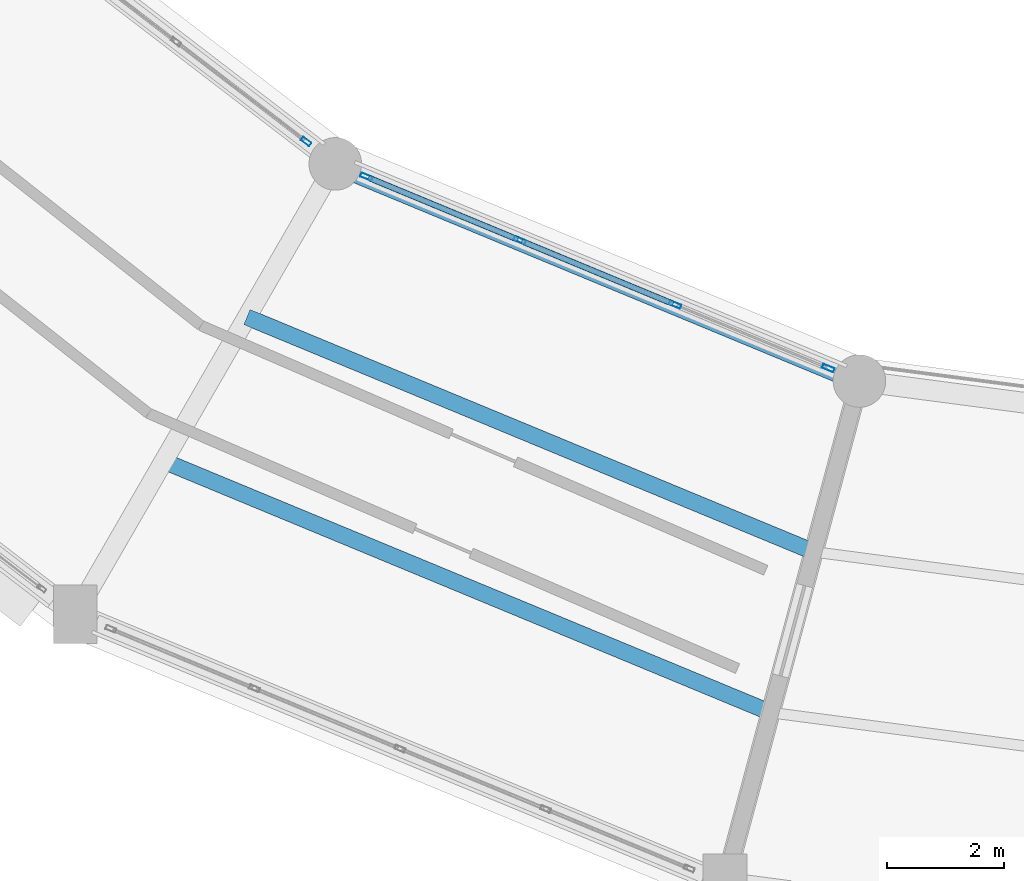
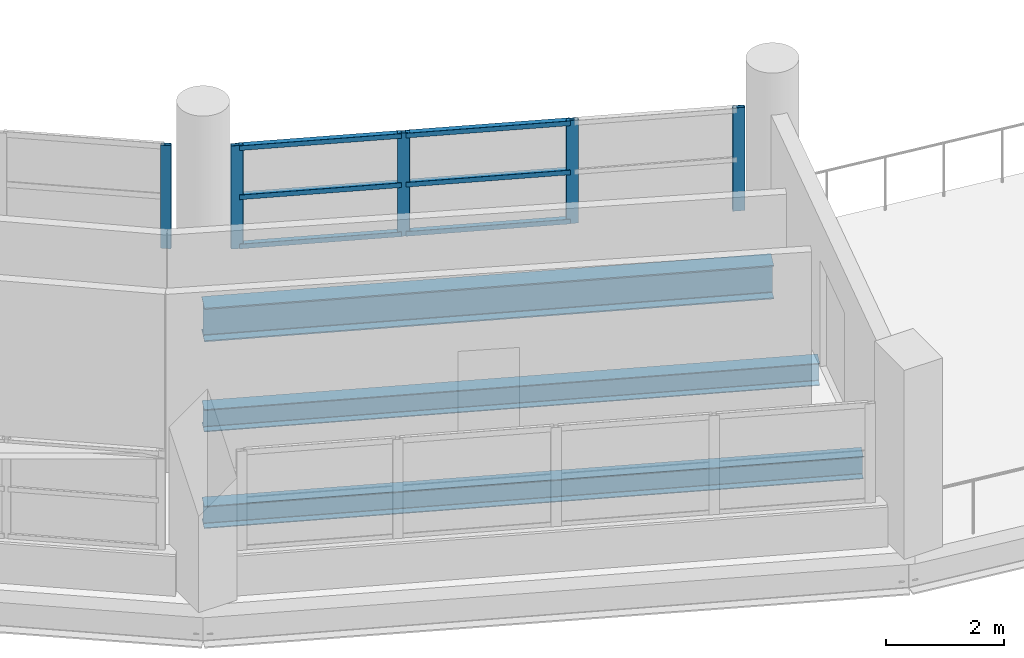
# One storey, part 9 of 53: 11 members, 3 beams, 2 elements without a shape of their own.
"""IFC4 building model written with IfcOpenShell, lengths in metres."""

from ifc_helpers import new_model, si_unit, direction, frame, origin, origin_2d, place, context, subcontext, project, spatial, hollow_rectangle, i_section, extrude, material, layer, layer_set, material_profile, profile_set, type_object, element, aggregate, save


model = new_model("IFC4")

# Units and contexts
model_context = context("Model", 3, precision=1e-05, world=origin(), true_north=direction((0.0, 1.0)))
body_context = subcontext(model_context, "Body", "Model", "MODEL_VIEW")
ifc_project = project(units=[si_unit("LENGTHUNIT", "METRE"), si_unit("AREAUNIT", "SQUARE_METRE"), si_unit("VOLUMEUNIT", "CUBIC_METRE"), si_unit("PLANEANGLEUNIT", "RADIAN"), si_unit("MASSUNIT", "GRAM", prefix="KILO")], contexts=[model_context])

# Site, building, storey
site_placement = place(None, origin())
site = spatial("IfcSite", under=ifc_project, at=site_placement, CompositionType="ELEMENT")
building_placement = place(site_placement, origin())
building = spatial("IfcBuilding", under=site, at=building_placement, Name="Vespera Passage Community Centre", CompositionType="ELEMENT")
storey_placement = place(building_placement, frame((0.0, 0.0, 20.39990234375)))
storey = spatial("IfcBuildingStorey", under=building, at=storey_placement, Name="L05", CompositionType="ELEMENT", Elevation=20.39990234375)

# Beams
ifc_material_1 = material(Name="Steel ASTM A992 Grade 50", Category="steel")
ifc_material_profile_1 = material_profile(ifc_material_1, i_section(OverallWidth=0.280517578125, OverallDepth=0.46240234375, WebThickness=0.0107421875, FlangeThickness=0.017333984375, FilletRadius=0.01025390625, at=origin_2d()), Name="W18X76")
ifc_profile_set_1 = profile_set([ifc_material_profile_1], Name="Steel ASTM A992 Grade 50")
beam_type_1 = type_object("IfcBeamType", Name="BM-J-W18X76", PredefinedType="JOIST", material=ifc_profile_set_1)
beam_1_placement = place(storey_placement, frame((57.886962890625, 30.663330078125, -0.4912109375), z_axis=(0.92387968492, -0.382683064417, 0.0), x_axis=(0.382683064417, 0.92387968492, 0.0)))
element("IfcBeam", 1, at=beam_1_placement, inside=storey, type_object=beam_type_1, Name="V4 L05 Floor Joist 16.1", PredefinedType="JOIST", context=body_context, shape_type="SweptSolid", body=[
    extrude(i_section(OverallWidth=0.280517578125, OverallDepth=0.46240234375, WebThickness=0.0107421875, FlangeThickness=0.017333984375, FilletRadius=0.01025390625, at=origin_2d()), origin(), (0.0, 0.0, 1.0), 10.5009765625),
])
beam_2_placement = place(storey_placement, frame((56.462890625, 28.19677734375, -0.4912109375), z_axis=(0.923884257257, -0.38267202562, 0.0), x_axis=(0.38267202562, 0.923884257257, 0.0)))
element("IfcBeam", 2, at=beam_2_placement, inside=storey, type_object=beam_type_1, Name="V4 L05 Floor Joist 16.2", PredefinedType="JOIST", context=body_context, shape_type="SweptSolid", body=[
    extrude(i_section(OverallWidth=0.280517578125, OverallDepth=0.46240234375, WebThickness=0.0107421875, FlangeThickness=0.017333984375, FilletRadius=0.01025390625, at=origin_2d()), origin(), (0.0, 0.0, 1.0), 11.24462890625),
])
ifc_material_2 = material(Name="Steel ASTM A992 Grade 50", Category="steel")
ifc_material_profile_2 = material_profile(ifc_material_2, i_section(OverallWidth=0.3544921875, OverallDepth=0.695556640625, WebThickness=0.015380859375, FlangeThickness=0.024658203125, FilletRadius=0.01513671875, at=origin_2d()), Name="W27X146")
ifc_profile_set_2 = profile_set([ifc_material_profile_2], Name="Steel ASTM A992 Grade 50")
beam_type_2 = type_object("IfcBeamType", Name="BM-SP-W27X146E", PredefinedType="SPANDREL", material=ifc_profile_set_2)
beam_3_placement = place(storey_placement, frame((59.39990234375, 33.283935546875, -0.607666015625), z_axis=(0.923878947685, -0.382684844258, 0.0), x_axis=(0.382684844258, 0.923878947685, 0.0)))
element("IfcBeam", 3, at=beam_3_placement, inside=storey, type_object=beam_type_2, Name="V4 L05 Inner Spandrel 16", PredefinedType="SPANDREL", context=body_context, shape_type="SweptSolid", body=[
    extrude(i_section(OverallWidth=0.3544921875, OverallDepth=0.695556640625, WebThickness=0.015380859375, FlangeThickness=0.024658203125, FilletRadius=0.01513671875, at=origin_2d()), origin(), (0.0, 0.0, 1.0), 9.711181640625),
])

# Curtain wall, member
ifc_material_3 = material(Name="Anodized aluminium 6063-T6", Category="aluminium")
ifc_layer_1 = layer(ifc_material_3, 0.159912109375)
ifc_layer_set_1 = layer_set([ifc_layer_1], Name="Anodized aluminium 6063-T6")
curtain_wall_type_1 = type_object("IfcCurtainWallType", Name="CW-70E", PredefinedType="NOTDEFINED", material=ifc_layer_set_1)
curtain_wall_1_placement = place(storey_placement, origin())
curtain_wall_1 = element("IfcCurtainWall", 4, at=curtain_wall_1_placement, inside=storey, type_object=curtain_wall_type_1, Name="V4 L05 Inner Court Curtain Wall 15", PredefinedType="NOTDEFINED")
ifc_material_4 = material(Name="Anodized aluminium 6063-T6", Category="aluminium")
ifc_material_profile_3 = material_profile(ifc_material_4, hollow_rectangle(XDim=0.074951171875, YDim=0.179931640625, WallThickness=0.0048828125, InnerFilletRadius=0.00244140625, OuterFilletRadius=0.0048828125, at=origin_2d()), Name="ALU180X75X5")
ifc_profile_set_3 = profile_set([ifc_material_profile_3], Name="Anodized aluminium 6063-T6")
member_type_1 = type_object("IfcMemberType", Name="MB-CWM-180E", PredefinedType="MULLION", material=ifc_profile_set_3)
member_1_placement = place(storey_placement, frame((58.899658203125, 33.667724609375, 0.820068359375), z_axis=(0.0, 0.0, 1.0), x_axis=(0.608755087843, 0.793358205999, 0.0)))
member_1 = element("IfcMember", 5, at=member_1_placement, type_object=member_type_1, Name="CW-70E mullion 4", PredefinedType="MULLION", context=body_context, shape_type="SweptSolid", body=[
    extrude(hollow_rectangle(XDim=0.074951171875, YDim=0.179931640625, WallThickness=0.0048828125, InnerFilletRadius=0.00244140625, OuterFilletRadius=0.0048828125, at=origin_2d()), origin(), (0.0, 0.0, 1.0), 2.129638671875),
])
aggregate(curtain_wall_1, [member_1])

# Curtain wall, members
ifc_material_5 = material(Name="Anodized aluminium 6063-T6", Category="aluminium")
ifc_layer_2 = layer(ifc_material_5, 0.159912109375)
ifc_layer_set_2 = layer_set([ifc_layer_2], Name="Anodized aluminium 6063-T6")
curtain_wall_type_2 = type_object("IfcCurtainWallType", Name="CW-72E", PredefinedType="NOTDEFINED", material=ifc_layer_set_2)
curtain_wall_2_placement = place(storey_placement, origin())
curtain_wall_2 = element("IfcCurtainWall", 6, at=curtain_wall_2_placement, inside=storey, type_object=curtain_wall_type_2, Name="V4 L05 Inner Court Curtain Wall 16", PredefinedType="NOTDEFINED")
ifc_material_6 = material(Name="Anodized aluminium 6063-T6", Category="aluminium")
ifc_material_profile_4 = material_profile(ifc_material_6, hollow_rectangle(XDim=0.074951171875, YDim=0.2099609375, WallThickness=0.0048828125, InnerFilletRadius=0.00244140625, OuterFilletRadius=0.0048828125, at=origin_2d()), Name="ALU210X75X5")
ifc_profile_set_4 = profile_set([ifc_material_profile_4], Name="Anodized aluminium 6063-T6")
member_type_2 = type_object("IfcMemberType", Name="MB-CWM-210E", PredefinedType="MULLION", material=ifc_profile_set_4)
member_2_placement = place(storey_placement, frame((59.933349609375, 33.06298828125, 0.820068359375), z_axis=(0.0, 0.0, 1.0), x_axis=(0.382690463482, 0.923876620096, 0.0)))
member_2 = element("IfcMember", 7, at=member_2_placement, type_object=member_type_2, Name="CW-72E mullion 1", PredefinedType="MULLION", context=body_context, shape_type="SweptSolid", body=[
    extrude(hollow_rectangle(XDim=0.074951171875, YDim=0.2099609375, WallThickness=0.0048828125, InnerFilletRadius=0.00244140625, OuterFilletRadius=0.0048828125, at=origin_2d()), origin(), (0.0, 0.0, 1.0), 2.129638671875),
])
member_3_placement = place(storey_placement, frame((62.556884765625, 31.976318359375, 0.820068359375), z_axis=(0.0, 0.0, 1.0), x_axis=(0.382690463482, 0.923876620096, 0.0)))
member_3 = element("IfcMember", 8, at=member_3_placement, type_object=member_type_2, Name="CW-72E mullion 2", PredefinedType="MULLION", context=body_context, shape_type="SweptSolid", body=[
    extrude(hollow_rectangle(XDim=0.074951171875, YDim=0.2099609375, WallThickness=0.0048828125, InnerFilletRadius=0.00244140625, OuterFilletRadius=0.0048828125, at=origin_2d()), origin(), (0.0, 0.0, 1.0), 2.129638671875),
])
member_4_placement = place(storey_placement, frame((65.215087890625, 30.875244140625, 0.820068359375), z_axis=(0.0, 0.0, 1.0), x_axis=(0.382690463482, 0.923876620096, 0.0)))
member_4 = element("IfcMember", 9, at=member_4_placement, type_object=member_type_2, Name="CW-72E mullion 3", PredefinedType="MULLION", context=body_context, shape_type="SweptSolid", body=[
    extrude(hollow_rectangle(XDim=0.074951171875, YDim=0.2099609375, WallThickness=0.0048828125, InnerFilletRadius=0.00244140625, OuterFilletRadius=0.0048828125, at=origin_2d()), origin(), (0.0, 0.0, 1.0), 2.129638671875),
])
member_5_placement = place(storey_placement, frame((67.838623046875, 29.788330078125, 0.820068359375), z_axis=(0.0, 0.0, 1.0), x_axis=(0.382690463482, 0.923876620096, 0.0)))
member_5 = element("IfcMember", 10, at=member_5_placement, type_object=member_type_2, Name="CW-72E mullion 4", PredefinedType="MULLION", context=body_context, shape_type="SweptSolid", body=[
    extrude(hollow_rectangle(XDim=0.074951171875, YDim=0.2099609375, WallThickness=0.0048828125, InnerFilletRadius=0.00244140625, OuterFilletRadius=0.0048828125, at=origin_2d()), origin(), (0.0, 0.0, 1.0), 2.129638671875),
])
ifc_material_7 = material(Name="Anodized aluminium 6063-T6", Category="aluminium")
ifc_material_profile_5 = material_profile(ifc_material_7, hollow_rectangle(XDim=0.10009765625, YDim=0.10009765625, WallThickness=0.00390625, InnerFilletRadius=0.001953125, OuterFilletRadius=0.00390625, at=origin_2d()), Name="ALU100X100X4")
ifc_profile_set_5 = profile_set([ifc_material_profile_5], Name="Anodized aluminium 6063-T6")
member_type_3 = type_object("IfcMemberType", Name="MB-CWT-100E", PredefinedType="USERDEFINED", material=ifc_profile_set_5)
member_6_placement = place(storey_placement, frame((59.9677734375, 33.048583984375, 0.8701171875), z_axis=(0.923908142805, -0.382614353701, 0.0), x_axis=(0.382614353701, 0.923908142805, 0.0)))
member_6 = element("IfcMember", 11, at=member_6_placement, type_object=member_type_3, Name="CW-72E transom 1.1", ObjectType="TRANSOM", PredefinedType="USERDEFINED", context=body_context, shape_type="SweptSolid", body=[
    extrude(hollow_rectangle(XDim=0.10009765625, YDim=0.10009765625, WallThickness=0.00390625, InnerFilletRadius=0.001953125, OuterFilletRadius=0.00390625, at=origin_2d()), origin(), (0.0, 0.0, 1.0), 2.764892578125),
])
member_7_placement = place(storey_placement, frame((59.9677734375, 33.048583984375, 1.884765625), z_axis=(0.923908142805, -0.382614353701, 0.0), x_axis=(0.382614353701, 0.923908142805, 0.0)))
member_7 = element("IfcMember", 12, at=member_7_placement, type_object=member_type_3, Name="CW-72E transom 1.2", ObjectType="TRANSOM", PredefinedType="USERDEFINED", context=body_context, shape_type="SweptSolid", body=[
    extrude(hollow_rectangle(XDim=0.10009765625, YDim=0.10009765625, WallThickness=0.00390625, InnerFilletRadius=0.001953125, OuterFilletRadius=0.00390625, at=origin_2d()), origin(), (0.0, 0.0, 1.0), 2.764892578125),
])
member_8_placement = place(storey_placement, frame((59.9677734375, 33.048583984375, 2.899658203125), z_axis=(0.923908142805, -0.382614353701, 0.0), x_axis=(0.382614353701, 0.923908142805, 0.0)))
member_8 = element("IfcMember", 13, at=member_8_placement, type_object=member_type_3, Name="CW-72E transom 1.3", ObjectType="TRANSOM", PredefinedType="USERDEFINED", context=body_context, shape_type="SweptSolid", body=[
    extrude(hollow_rectangle(XDim=0.10009765625, YDim=0.10009765625, WallThickness=0.00390625, InnerFilletRadius=0.001953125, OuterFilletRadius=0.00390625, at=origin_2d()), origin(), (0.0, 0.0, 1.0), 2.764892578125),
])
member_9_placement = place(storey_placement, frame((62.591552734375, 31.9619140625, 0.8701171875), z_axis=(0.923889408399, -0.382659588994, 0.0), x_axis=(0.382659588994, 0.923889408399, 0.0)))
member_9 = element("IfcMember", 14, at=member_9_placement, type_object=member_type_3, Name="CW-72E transom 2.1", ObjectType="TRANSOM", PredefinedType="USERDEFINED", context=body_context, shape_type="SweptSolid", body=[
    extrude(hollow_rectangle(XDim=0.10009765625, YDim=0.10009765625, WallThickness=0.00390625, InnerFilletRadius=0.001953125, OuterFilletRadius=0.00390625, at=origin_2d()), origin(), (0.0, 0.0, 1.0), 2.80224609375),
])
member_10_placement = place(storey_placement, frame((62.591552734375, 31.9619140625, 1.884765625), z_axis=(0.923889408399, -0.382659588994, 0.0), x_axis=(0.382659588994, 0.923889408399, 0.0)))
member_10 = element("IfcMember", 15, at=member_10_placement, type_object=member_type_3, Name="CW-72E transom 2.2", ObjectType="TRANSOM", PredefinedType="USERDEFINED", context=body_context, shape_type="SweptSolid", body=[
    extrude(hollow_rectangle(XDim=0.10009765625, YDim=0.10009765625, WallThickness=0.00390625, InnerFilletRadius=0.001953125, OuterFilletRadius=0.00390625, at=origin_2d()), origin(), (0.0, 0.0, 1.0), 2.80224609375),
])
member_11_placement = place(storey_placement, frame((62.591552734375, 31.9619140625, 2.899658203125), z_axis=(0.923889408399, -0.382659588994, 0.0), x_axis=(0.382659588994, 0.923889408399, 0.0)))
member_11 = element("IfcMember", 16, at=member_11_placement, type_object=member_type_3, Name="CW-72E transom 2.3", ObjectType="TRANSOM", PredefinedType="USERDEFINED", context=body_context, shape_type="SweptSolid", body=[
    extrude(hollow_rectangle(XDim=0.10009765625, YDim=0.10009765625, WallThickness=0.00390625, InnerFilletRadius=0.001953125, OuterFilletRadius=0.00390625, at=origin_2d()), origin(), (0.0, 0.0, 1.0), 2.80224609375),
])
aggregate(curtain_wall_2, [member_2, member_3, member_4, member_5, member_6, member_7, member_8, member_9, member_10, member_11])

save(model, "model.ifc")
